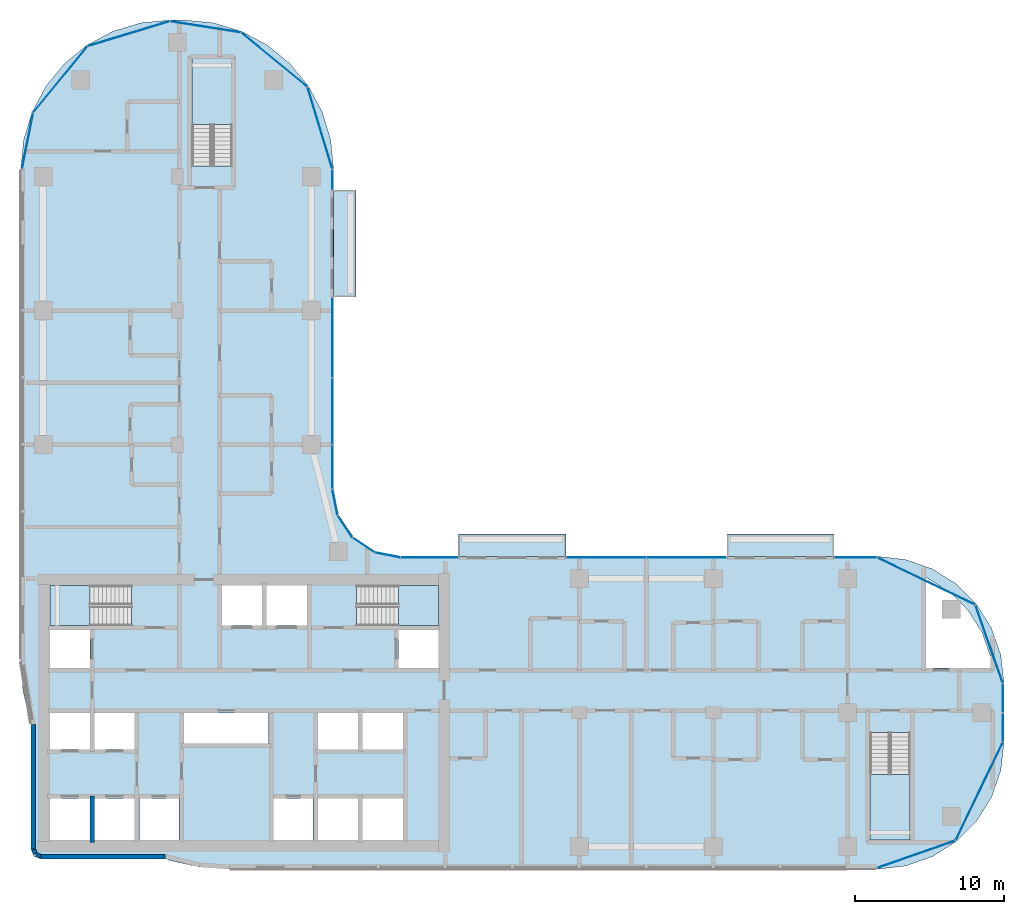
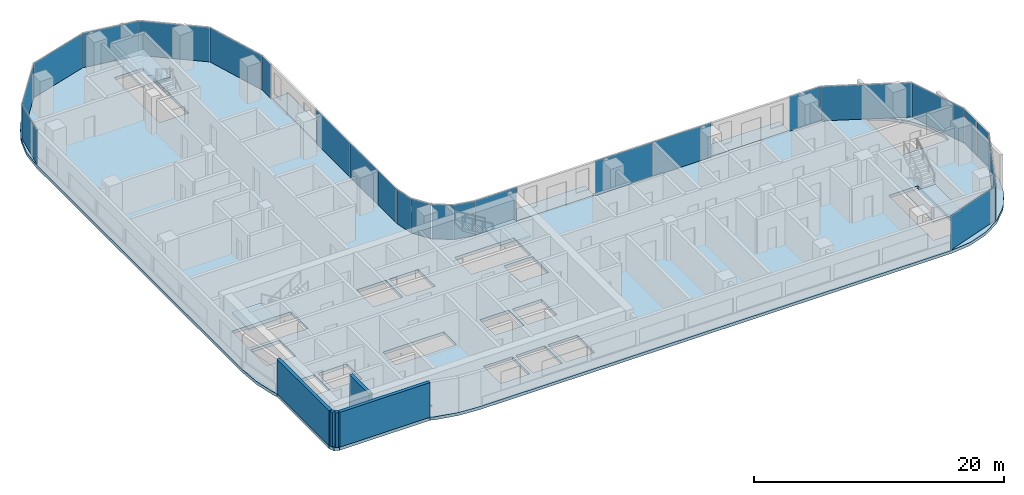
# One storey, part 6 of 21: 24 plates, 8 slabs, 5 walls, 14 elements without a shape of their own.
"""IFC4 building model written with IfcOpenShell, lengths in metres."""

from ifc_helpers import new_model, si_unit, direction, frame, frame_2d, origin, origin_2d, place, context, subcontext, project, spatial, polyline, rectangle, outline, extrude, material, layer, layer_set, type_object, element, aggregate, save


model = new_model("IFC4")

# Units and contexts
model_context = context("Model", 3, precision=1e-05, world=origin(), true_north=direction((0.0, 1.0)))
body_context = subcontext(model_context, "Body", "Model", "MODEL_VIEW")
ifc_project = project(units=[si_unit("LENGTHUNIT", "METRE"), si_unit("AREAUNIT", "SQUARE_METRE"), si_unit("VOLUMEUNIT", "CUBIC_METRE"), si_unit("PLANEANGLEUNIT", "RADIAN"), si_unit("MASSUNIT", "GRAM", prefix="KILO")], contexts=[model_context])

# Site, building, storey
site_placement = place(None, origin())
site = spatial("IfcSite", under=ifc_project, at=site_placement, CompositionType="ELEMENT")
building_placement = place(site_placement, origin())
building = spatial("IfcBuilding", under=site, at=building_placement, Name="Ogive Portal Towers", CompositionType="ELEMENT")
storey_placement = place(building_placement, frame((0.0, 0.0, 109.300048828125)))
storey = spatial("IfcBuildingStorey", under=building, at=storey_placement, Name="L26", CompositionType="ELEMENT", Elevation=109.300048828125)

# Slabs
ifc_material_1 = material(Name="Concrete C40/50", Category="concrete")
ifc_layer_1 = layer(ifc_material_1, 0.199951171875)
ifc_layer_set_1 = layer_set([ifc_layer_1], Name="BALCONY SLAB 200")
slab_type_1 = type_object("IfcSlabType", Name="BALCONY SLAB 200", PredefinedType="FLOOR", material=ifc_layer_set_1)
slab_1_placement = place(storey_placement, frame((0.0, 0.0, -0.199951171875)))
element("IfcSlab", 1, at=slab_1_placement, inside=storey, type_object=slab_type_1, Name="Balcony T1", PredefinedType="FLOOR", context=body_context, shape_type="SweptSolid", body=[
    extrude(outline(polyline([(59.39990234375, 41.0), (66.60009765625, 41.0), (66.60009765625, 42.5), (59.39990234375, 42.5), (59.39990234375, 41.0)])), origin(), (0.0, 0.0, 1.0), 0.199951171875),
])
slab_2_placement = place(storey_placement, frame((0.0, 0.0, -0.199951171875)))
element("IfcSlab", 2, at=slab_2_placement, inside=storey, type_object=slab_type_1, Name="Balcony T3", PredefinedType="FLOOR", context=body_context, shape_type="SweptSolid", body=[
    extrude(outline(polyline([(77.39990234375, 41.0), (84.60009765625, 41.0), (84.60009765625, 42.5), (77.39990234375, 42.5), (77.39990234375, 41.0)])), origin(), (0.0, 0.0, 1.0), 0.199951171875),
])
slab_3_placement = place(storey_placement, frame((0.0, 0.0, -0.199951171875)))
element("IfcSlab", 3, at=slab_3_placement, inside=storey, type_object=slab_type_1, Name="Balcony S2", PredefinedType="FLOOR", context=body_context, shape_type="SweptSolid", body=[
    extrude(outline(polyline([(51.0, 58.39990234375), (52.5, 58.39990234375), (52.5, 65.60009765625), (51.0, 65.60009765625), (51.0, 58.39990234375)])), origin(), (0.0, 0.0, 1.0), 0.199951171875),
])

# Curtain wall, plates
ifc_material_2 = material(Name="Glass, clear low-iron insulated glazing", Category="glass")
curtain_wall_type = type_object("IfcCurtainWallType", Name="CW FRONT RIBBON 4500", PredefinedType="NOTDEFINED", material=ifc_material_2)
curtain_wall_1_placement = place(storey_placement, origin())
curtain_wall_1 = element("IfcCurtainWall", 4, at=curtain_wall_1_placement, inside=storey, type_object=curtain_wall_type, Name="A:L26:f09:cw0", PredefinedType="NOTDEFINED")
ifc_layer_2 = layer(ifc_material_2, 0.028076171875)
ifc_layer_set_2 = layer_set([ifc_layer_2], Name="CW PANEL IGU 28")
plate_type = type_object("IfcPlateType", Name="CW PANEL IGU 28", PredefinedType="CURTAIN_PANEL", material=ifc_layer_set_2)
plate_1_placement = place(storey_placement, frame((95.919921875, 29.509033203125, 0.0), z_axis=(0.0, 0.0, 1.0), x_axis=(0.0, 1.0, 0.0)))
plate_1 = element("IfcPlate", 5, at=plate_1_placement, type_object=plate_type, Name="panel", PredefinedType="CURTAIN_PANEL", context=body_context, shape_type="SweptSolid", body=[
    extrude(rectangle(XDim=1.921630859375, YDim=0.028076171875, at=origin_2d()), origin(), (0.0, 0.0, 1.0), 3.340087890625),
])
plate_2_placement = place(storey_placement, frame((95.919921875, 31.4931640625, 0.0), z_axis=(0.0, 0.0, 1.0), x_axis=(0.0, 1.0, 0.0)))
plate_2 = element("IfcPlate", 6, at=plate_2_placement, type_object=plate_type, Name="panel", PredefinedType="CURTAIN_PANEL", context=body_context, shape_type="SweptSolid", body=[
    extrude(rectangle(XDim=1.926513671875, YDim=0.028076171875, at=origin_2d()), origin(), (0.0, 0.0, 1.0), 3.340087890625),
])
aggregate(curtain_wall_1, [plate_1, plate_2])

# Curtain wall, plate
curtain_wall_2_placement = place(storey_placement, origin())
curtain_wall_2 = element("IfcCurtainWall", 7, at=curtain_wall_2_placement, inside=storey, type_object=curtain_wall_type, Name="A:L26:f12:cw0", PredefinedType="NOTDEFINED")
plate_3_placement = place(storey_placement, frame((86.0322265625, 40.919921875, 0.0), z_axis=(0.0, 0.0, 1.0), x_axis=(-1.0, 0.0, 0.0)))
plate_3 = element("IfcPlate", 8, at=plate_3_placement, type_object=plate_type, Name="panel", PredefinedType="CURTAIN_PANEL", context=body_context, shape_type="SweptSolid", body=[
    extrude(rectangle(XDim=2.839111328125, YDim=0.028076171875, at=origin_2d()), origin(), (0.0, 0.0, 1.0), 3.340087890625),
])
aggregate(curtain_wall_2, [plate_3])

# Curtain wall, plates
curtain_wall_3_placement = place(storey_placement, origin())
curtain_wall_3 = element("IfcCurtainWall", 9, at=curtain_wall_3_placement, inside=storey, type_object=curtain_wall_type, Name="A:L26:f12:cw1", PredefinedType="NOTDEFINED")
plate_4_placement = place(storey_placement, frame((74.692626953125, 40.919921875, 0.0), z_axis=(0.0, 0.0, 1.0), x_axis=(-1.0, 0.0, 0.0)))
plate_4 = element("IfcPlate", 10, at=plate_4_placement, type_object=plate_type, Name="panel", PredefinedType="CURTAIN_PANEL", context=body_context, shape_type="SweptSolid", body=[
    extrude(rectangle(XDim=5.324951171875, YDim=0.028076171875, at=origin_2d()), origin(), (0.0, 0.0, 1.0), 3.340087890625),
])
plate_5_placement = place(storey_placement, frame((69.294189453125, 40.919921875, 0.0), z_axis=(0.0, 0.0, 1.0), x_axis=(-1.0, 0.0, 0.0)))
plate_5 = element("IfcPlate", 11, at=plate_5_placement, type_object=plate_type, Name="panel", PredefinedType="CURTAIN_PANEL", context=body_context, shape_type="SweptSolid", body=[
    extrude(rectangle(XDim=5.3515625, YDim=0.028076171875, at=origin_2d()), origin(), (0.0, 0.0, 1.0), 3.340087890625),
])
aggregate(curtain_wall_3, [plate_4, plate_5])

# Curtain wall, plate
curtain_wall_4_placement = place(storey_placement, origin())
curtain_wall_4 = element("IfcCurtainWall", 12, at=curtain_wall_4_placement, inside=storey, type_object=curtain_wall_type, Name="A:L26:f12:cw2", PredefinedType="NOTDEFINED")
plate_6_placement = place(storey_placement, frame((57.44140625, 40.919921875, 0.0), z_axis=(0.0, 0.0, 1.0), x_axis=(-1.0, 0.0, 0.0)))
plate_6 = element("IfcPlate", 13, at=plate_6_placement, type_object=plate_type, Name="panel", PredefinedType="CURTAIN_PANEL", context=body_context, shape_type="SweptSolid", body=[
    extrude(rectangle(XDim=3.838623046875, YDim=0.028076171875, at=origin_2d()), origin(), (0.0, 0.0, 1.0), 3.340087890625),
])
aggregate(curtain_wall_4, [plate_6])

# Curtain wall, plates
curtain_wall_5_placement = place(storey_placement, origin())
curtain_wall_5 = element("IfcCurtainWall", 14, at=curtain_wall_5_placement, inside=storey, type_object=curtain_wall_type, Name="A:L26:f17:cw0", PredefinedType="NOTDEFINED")
plate_7_placement = place(storey_placement, frame((50.919921875, 46.99609375, 0.0), z_axis=(0.0, 0.0, 1.0), x_axis=(0.0, 1.0, 0.0)))
plate_7 = element("IfcPlate", 15, at=plate_7_placement, type_object=plate_type, Name="panel", PredefinedType="CURTAIN_PANEL", context=body_context, shape_type="SweptSolid", body=[
    extrude(rectangle(XDim=2.947998046875, YDim=0.028076171875, at=origin_2d()), origin(), (0.0, 0.0, 1.0), 3.340087890625),
])
plate_8_placement = place(storey_placement, frame((50.919921875, 50.75, 0.0), z_axis=(0.0, 0.0, 1.0), x_axis=(0.0, 1.0, 0.0)))
plate_8 = element("IfcPlate", 16, at=plate_8_placement, type_object=plate_type, Name="panel", PredefinedType="CURTAIN_PANEL", context=body_context, shape_type="SweptSolid", body=[
    extrude(rectangle(XDim=4.43994140625, YDim=0.028076171875, at=origin_2d()), origin(), (0.0, 0.0, 1.0), 3.340087890625),
])
plate_9_placement = place(storey_placement, frame((50.919921875, 55.69482421875, 0.0), z_axis=(0.0, 0.0, 1.0), x_axis=(0.0, 1.0, 0.0)))
plate_9 = element("IfcPlate", 17, at=plate_9_placement, type_object=plate_type, Name="panel", PredefinedType="CURTAIN_PANEL", context=body_context, shape_type="SweptSolid", body=[
    extrude(rectangle(XDim=5.329833984375, YDim=0.028076171875, at=origin_2d()), origin(), (0.0, 0.0, 1.0), 3.340087890625),
])
aggregate(curtain_wall_5, [plate_7, plate_8, plate_9])

# Curtain wall, plate
curtain_wall_6_placement = place(storey_placement, origin())
curtain_wall_6 = element("IfcCurtainWall", 18, at=curtain_wall_6_placement, inside=storey, type_object=curtain_wall_type, Name="A:L26:f17:cw1", PredefinedType="NOTDEFINED")
plate_10_placement = place(storey_placement, frame((50.919921875, 66.288330078125, 0.0), z_axis=(0.0, 0.0, 1.0), x_axis=(0.0, 1.0, 0.0)))
plate_10 = element("IfcPlate", 19, at=plate_10_placement, type_object=plate_type, Name="panel", PredefinedType="CURTAIN_PANEL", context=body_context, shape_type="SweptSolid", body=[
    extrude(rectangle(XDim=1.33984375, YDim=0.028076171875, at=origin_2d()), origin(), (0.0, 0.0, 1.0), 3.340087890625),
])
aggregate(curtain_wall_6, [plate_10])

# Curtain wall, plates
curtain_wall_7_placement = place(storey_placement, origin())
curtain_wall_7 = element("IfcCurtainWall", 20, at=curtain_wall_7_placement, inside=storey, type_object=curtain_wall_type, Name="A:L26:f07:cwa", PredefinedType="NOTDEFINED")
plate_11_placement = place(storey_placement, frame((90.1142578125, 20.99951171875, 0.0), z_axis=(0.0, 0.0, 1.0), x_axis=(0.943883330307, 0.33027906196, 0.0)))
plate_11 = element("IfcPlate", 21, at=plate_11_placement, type_object=plate_type, Name="panel", PredefinedType="CURTAIN_PANEL", context=body_context, shape_type="SweptSolid", body=[
    extrude(rectangle(XDim=5.508056640625, YDim=0.028076171875, at=origin_2d()), origin(), (0.0, 0.0, 1.0), 3.340087890625),
])
plate_12_placement = place(storey_placement, frame((94.3310546875, 25.21875, 0.0), z_axis=(0.0, 0.0, 1.0), x_axis=(0.433883739113, 0.900968867905, 0.0)))
plate_12 = element("IfcPlate", 22, at=plate_12_placement, type_object=plate_type, Name="panel", PredefinedType="CURTAIN_PANEL", context=body_context, shape_type="SweptSolid", body=[
    extrude(rectangle(XDim=7.2646484375, YDim=0.028076171875, at=origin_2d()), origin(), (0.0, 0.0, 1.0), 3.340087890625),
])
aggregate(curtain_wall_7, [plate_11, plate_12])

curtain_wall_8_placement = place(storey_placement, origin())
curtain_wall_8 = element("IfcCurtainWall", 23, at=curtain_wall_8_placement, inside=storey, type_object=curtain_wall_type, Name="A:L26:f10:cwa", PredefinedType="NOTDEFINED")
plate_13_placement = place(storey_placement, frame((95.00048828125, 35.1142578125, 0.0), z_axis=(0.0, 0.0, 1.0), x_axis=(-0.33027906196, 0.943883330307, 0.0)))
plate_13 = element("IfcPlate", 24, at=plate_13_placement, type_object=plate_type, Name="panel", PredefinedType="CURTAIN_PANEL", context=body_context, shape_type="SweptSolid", body=[
    extrude(rectangle(XDim=5.508056640625, YDim=0.028076171875, at=origin_2d()), origin(), (0.0, 0.0, 1.0), 3.340087890625),
])
plate_14_placement = place(storey_placement, frame((90.78125, 39.3310546875, 0.0), z_axis=(0.0, 0.0, 1.0), x_axis=(-0.900968867905, 0.433883739113, 0.0)))
plate_14 = element("IfcPlate", 25, at=plate_14_placement, type_object=plate_type, Name="panel", PredefinedType="CURTAIN_PANEL", context=body_context, shape_type="SweptSolid", body=[
    extrude(rectangle(XDim=7.2646484375, YDim=0.028076171875, at=origin_2d()), origin(), (0.0, 0.0, 1.0), 3.340087890625),
])
aggregate(curtain_wall_8, [plate_13, plate_14])

curtain_wall_9_placement = place(storey_placement, origin())
curtain_wall_9 = element("IfcCurtainWall", 26, at=curtain_wall_9_placement, inside=storey, type_object=curtain_wall_type, Name="A:L26:f13:cwa", PredefinedType="NOTDEFINED")
plate_15_placement = place(storey_placement, frame((54.619384765625, 41.093505859375, 0.0), z_axis=(0.0, 0.0, 1.0), x_axis=(-0.980785280403, 0.195090322016, 0.0)))
plate_15 = element("IfcPlate", 27, at=plate_15_placement, type_object=plate_type, Name="panel", PredefinedType="CURTAIN_PANEL", context=body_context, shape_type="SweptSolid", body=[
    extrude(rectangle(XDim=1.7197265625, YDim=0.028076171875, at=origin_2d()), origin(), (0.0, 0.0, 1.0), 3.340087890625),
])
plate_16_placement = place(storey_placement, frame((53.00341796875, 41.763671875, 0.0), z_axis=(0.0, 0.0, 1.0), x_axis=(-0.831469612303, 0.55557023302, 0.0)))
plate_16 = element("IfcPlate", 28, at=plate_16_placement, type_object=plate_type, Name="panel", PredefinedType="CURTAIN_PANEL", context=body_context, shape_type="SweptSolid", body=[
    extrude(rectangle(XDim=1.7275390625, YDim=0.028076171875, at=origin_2d()), origin(), (0.0, 0.0, 1.0), 3.340087890625),
])
plate_17_placement = place(storey_placement, frame((51.763671875, 43.00341796875, 0.0), z_axis=(0.0, 0.0, 1.0), x_axis=(-0.55557023302, 0.831469612303, 0.0)))
plate_17 = element("IfcPlate", 29, at=plate_17_placement, type_object=plate_type, Name="panel", PredefinedType="CURTAIN_PANEL", context=body_context, shape_type="SweptSolid", body=[
    extrude(rectangle(XDim=1.7275390625, YDim=0.028076171875, at=origin_2d()), origin(), (0.0, 0.0, 1.0), 3.340087890625),
])
plate_18_placement = place(storey_placement, frame((51.093505859375, 44.619384765625, 0.0), z_axis=(0.0, 0.0, 1.0), x_axis=(-0.195090322016, 0.980785280403, 0.0)))
plate_18 = element("IfcPlate", 30, at=plate_18_placement, type_object=plate_type, Name="panel", PredefinedType="CURTAIN_PANEL", context=body_context, shape_type="SweptSolid", body=[
    extrude(rectangle(XDim=1.7197265625, YDim=0.028076171875, at=origin_2d()), origin(), (0.0, 0.0, 1.0), 3.340087890625),
])
aggregate(curtain_wall_9, [plate_15, plate_16, plate_17, plate_18])

curtain_wall_10_placement = place(storey_placement, origin())
curtain_wall_10 = element("IfcCurtainWall", 31, at=curtain_wall_10_placement, inside=storey, type_object=curtain_wall_type, Name="A:L26:f18:cwa", PredefinedType="NOTDEFINED")
plate_19_placement = place(storey_placement, frame((50.08251953125, 69.748779296875, 0.0), z_axis=(0.0, 0.0, 1.0), x_axis=(-0.290284677254, 0.956940335732, 0.0)))
plate_19 = element("IfcPlate", 32, at=plate_19_placement, type_object=plate_type, Name="panel", PredefinedType="CURTAIN_PANEL", context=body_context, shape_type="SweptSolid", body=[
    extrude(rectangle(XDim=5.70947265625, YDim=0.028076171875, at=origin_2d()), origin(), (0.0, 0.0, 1.0), 3.340087890625),
])
plate_20_placement = place(storey_placement, frame((47.01904296875, 74.336181640625, 0.0), z_axis=(0.0, 0.0, 1.0), x_axis=(-0.773010453363, 0.634393284164, 0.0)))
plate_20 = element("IfcPlate", 33, at=plate_20_placement, type_object=plate_type, Name="panel", PredefinedType="CURTAIN_PANEL", context=body_context, shape_type="SweptSolid", body=[
    extrude(rectangle(XDim=5.69970703125, YDim=0.028076171875, at=origin_2d()), origin(), (0.0, 0.0, 1.0), 3.340087890625),
])
plate_21_placement = place(storey_placement, frame((42.399169921875, 76.54052734375, 0.0), z_axis=(0.0, 0.0, 1.0), x_axis=(-0.987792174992, 0.155777466355, 0.0)))
plate_21 = element("IfcPlate", 34, at=plate_21_placement, type_object=plate_type, Name="panel", PredefinedType="CURTAIN_PANEL", context=body_context, shape_type="SweptSolid", body=[
    extrude(rectangle(XDim=4.786376953125, YDim=0.028076171875, at=origin_2d()), origin(), (0.0, 0.0, 1.0), 3.340087890625),
])
plate_22_placement = place(storey_placement, frame((37.248291015625, 76.08154296875, 0.0), z_axis=(0.0, 0.0, 1.0), x_axis=(-0.956940335732, -0.290284677254, 0.0)))
plate_22 = element("IfcPlate", 35, at=plate_22_placement, type_object=plate_type, Name="panel", PredefinedType="CURTAIN_PANEL", context=body_context, shape_type="SweptSolid", body=[
    extrude(rectangle(XDim=5.703125, YDim=0.028076171875, at=origin_2d()), origin(), (0.0, 0.0, 1.0), 3.340087890625),
])
plate_23_placement = place(storey_placement, frame((32.663330078125, 73.018310546875, 0.0), z_axis=(0.0, 0.0, 1.0), x_axis=(-0.634393284164, -0.773010453363, 0.0)))
plate_23 = element("IfcPlate", 36, at=plate_23_placement, type_object=plate_type, Name="panel", PredefinedType="CURTAIN_PANEL", context=body_context, shape_type="SweptSolid", body=[
    extrude(rectangle(XDim=5.701416015625, YDim=0.028076171875, at=origin_2d()), origin(), (0.0, 0.0, 1.0), 3.340087890625),
])
plate_24_placement = place(storey_placement, frame((30.457763671875, 68.891845703125, 0.0), z_axis=(0.0, 0.0, 1.0), x_axis=(-0.195090322016, -0.980785280403, 0.0)))
plate_24 = element("IfcPlate", 37, at=plate_24_placement, type_object=plate_type, Name="panel", PredefinedType="CURTAIN_PANEL", context=body_context, shape_type="SweptSolid", body=[
    extrude(rectangle(XDim=3.81396484375, YDim=0.028076171875, at=origin_2d()), origin(), (0.0, 0.0, 1.0), 3.340087890625),
])
aggregate(curtain_wall_10, [plate_19, plate_20, plate_21, plate_22, plate_23, plate_24])

# Stair, slab
stair_type = type_object("IfcStairType", Name="INT-STAIR", PredefinedType="HALF_TURN_STAIR", material=ifc_material_1)
stair_1_placement = place(storey_placement, origin())
stair_1 = element("IfcStair", 38, at=stair_1_placement, inside=storey, type_object=stair_type, Name="L26 Exit Stair ST-A1", PredefinedType="HALF_TURN_STAIR")
ifc_layer_3 = layer(ifc_material_1, 0.199951171875)
ifc_layer_set_3 = layer_set([ifc_layer_3], Name="INT-LANDING")
slab_type_2 = type_object("IfcSlabType", Name="INT-LANDING", PredefinedType="LANDING", material=ifc_layer_set_3)
slab_4_placement = place(storey_placement, frame((0.0, 0.0, 1.64990234375)))
slab_4 = element("IfcSlab", 39, at=slab_4_placement, type_object=slab_type_2, Name="ST-A1 landing 1", PredefinedType="LANDING", context=body_context, shape_type="SweptSolid", body=[
    extrude(outline(polyline([(34.64990234375, 39.050048828125), (31.949951171875, 39.050048828125), (31.949951171875, 36.35009765625), (34.64990234375, 36.35009765625), (34.64990234375, 39.050048828125)])), origin(), (0.0, 0.0, 1.0), 0.199951171875),
])
aggregate(stair_1, [slab_4])

stair_2_placement = place(storey_placement, origin())
stair_2 = element("IfcStair", 40, at=stair_2_placement, inside=storey, type_object=stair_type, Name="L26 Exit Stair ST-A2", PredefinedType="HALF_TURN_STAIR")
slab_5_placement = place(storey_placement, frame((0.0, 0.0, 1.64990234375)))
slab_5 = element("IfcSlab", 41, at=slab_5_placement, type_object=slab_type_2, Name="ST-A2 landing 1", PredefinedType="LANDING", context=body_context, shape_type="SweptSolid", body=[
    extrude(outline(polyline([(55.35009765625, 36.35009765625), (58.050048828125, 36.35009765625), (58.050048828125, 39.050048828125), (55.35009765625, 39.050048828125), (55.35009765625, 36.35009765625)])), origin(), (0.0, 0.0, 1.0), 0.199951171875),
])
aggregate(stair_2, [slab_5])

stair_3_placement = place(storey_placement, origin())
stair_3 = element("IfcStair", 42, at=stair_3_placement, inside=storey, type_object=stair_type, Name="L26 Exit Stair ST-A3", PredefinedType="HALF_TURN_STAIR")
slab_6_placement = place(storey_placement, frame((0.0, 0.0, 1.64990234375)))
slab_6 = element("IfcSlab", 43, at=slab_6_placement, type_object=slab_type_2, Name="ST-A3 landing 1", PredefinedType="LANDING", context=body_context, shape_type="SweptSolid", body=[
    extrude(outline(polyline([(44.199951171875, 70.0), (44.199951171875, 74.449951171875), (41.5, 74.449951171875), (41.5, 70.0), (44.199951171875, 70.0)])), origin(), (0.0, 0.0, 1.0), 0.199951171875),
])
aggregate(stair_3, [slab_6])

stair_4_placement = place(storey_placement, origin())
stair_4 = element("IfcStair", 44, at=stair_4_placement, inside=storey, type_object=stair_type, Name="L26 Exit Stair ST-A4", PredefinedType="HALF_TURN_STAIR")
slab_7_placement = place(storey_placement, frame((0.0, 0.0, 1.64990234375)))
slab_7 = element("IfcSlab", 45, at=slab_7_placement, type_object=slab_type_2, Name="ST-A4 landing 1", PredefinedType="LANDING", context=body_context, shape_type="SweptSolid", body=[
    extrude(outline(polyline([(87.0, 26.3701171875), (87.0, 21.949951171875), (89.699951171875, 21.949951171875), (89.699951171875, 26.3701171875), (87.0, 26.3701171875)])), origin(), (0.0, 0.0, 1.0), 0.199951171875),
])
aggregate(stair_4, [slab_7])

# Slab
ifc_material_3 = material(Name="Concrete C45/55", Category="concrete")
ifc_layer_4 = layer(ifc_material_3, 0.300048828125)
ifc_layer_set_4 = layer_set([ifc_layer_4], Name="PT FLAT PLATE 300")
slab_type_3 = type_object("IfcSlabType", Name="PT FLAT PLATE 300", PredefinedType="FLOOR", material=ifc_layer_set_4)
slab_8_placement = place(storey_placement, frame((0.0, 0.0, -0.300048828125)))
element("IfcSlab", 46, at=slab_8_placement, inside=storey, type_object=slab_type_3, Name="Floor slab L26", PredefinedType="FLOOR", context=body_context, shape_type="SweptSolid", body=[
    extrude(outline(polyline([(30.142578125, 32.007568359375), (30.567138671875, 30.0556640625), (30.699951171875, 29.699462890625), (30.699951171875, 21.300048828125), (30.875732421875, 20.875732421875), (31.300048828125, 20.699951171875), (39.699462890625, 20.699951171875), (40.0556640625, 20.567138671875), (42.007568359375, 20.142578125), (44.0, 20.0), (87.5, 20.0), (89.391357421875, 20.213134765625), (91.18798828125, 20.841796875), (92.7998046875, 21.8544921875), (94.1455078125, 23.2001953125), (95.158203125, 24.81201171875), (95.786865234375, 26.608642578125), (96.0, 28.5), (96.0, 32.5), (95.786865234375, 34.391357421875), (95.158203125, 36.18798828125), (94.1455078125, 37.7998046875), (92.7998046875, 39.1455078125), (91.18798828125, 40.158203125), (89.391357421875, 40.786865234375), (87.5, 41.0), (55.5, 41.0), (53.77783203125, 41.342529296875), (52.318115234375, 42.318115234375), (51.342529296875, 43.77783203125), (51.0, 45.5), (51.0, 67.0), (50.807861328125, 68.950927734375), (50.23876953125, 70.826904296875), (49.314697265625, 72.5556640625), (48.071044921875, 74.071044921875), (46.5556640625, 75.314697265625), (44.826904296875, 76.23876953125), (42.950927734375, 76.807861328125), (41.0, 77.0), (40.0, 77.0), (38.049072265625, 76.807861328125), (36.173095703125, 76.23876953125), (34.4443359375, 75.314697265625), (32.928955078125, 74.071044921875), (31.685302734375, 72.5556640625), (30.76123046875, 70.826904296875), (30.192138671875, 68.950927734375), (30.0, 67.0), (30.0, 34.0), (30.142578125, 32.007568359375)]), holes=[polyline([(34.64990234375, 24.75), (34.64990234375, 21.949951171875), (31.949951171875, 21.949951171875), (31.949951171875, 24.75), (34.64990234375, 24.75)]), polyline([(37.64990234375, 24.75), (37.64990234375, 21.949951171875), (34.949951171875, 21.949951171875), (34.949951171875, 24.75), (37.64990234375, 24.75)]), polyline([(40.6298828125, 21.969970703125), (37.969970703125, 21.969970703125), (37.969970703125, 24.72998046875), (40.6298828125, 24.72998046875), (40.6298828125, 21.969970703125)]), polyline([(34.64990234375, 28.050048828125), (31.949951171875, 28.050048828125), (31.949951171875, 30.5), (34.64990234375, 30.5), (34.64990234375, 28.050048828125)]), polyline([(37.64990234375, 28.050048828125), (34.949951171875, 28.050048828125), (34.949951171875, 30.5), (37.64990234375, 30.5), (37.64990234375, 28.050048828125)]), polyline([(46.6298828125, 28.447021484375), (40.969970703125, 28.447021484375), (40.969970703125, 30.47998046875), (46.6298828125, 30.47998046875), (46.6298828125, 28.447021484375)]), polyline([(34.64990234375, 36.050048828125), (34.64990234375, 33.5), (31.949951171875, 33.5), (31.949951171875, 36.050048828125), (34.64990234375, 36.050048828125)]), polyline([(31.951904296875, 39.048095703125), (37.447998046875, 39.048095703125), (37.447998046875, 36.35205078125), (31.951904296875, 36.35205078125), (31.951904296875, 39.048095703125)]), polyline([(46.199951171875, 36.35009765625), (43.5, 36.35009765625), (43.5, 39.050048828125), (46.199951171875, 39.050048828125), (46.199951171875, 36.35009765625)]), polyline([(44.197998046875, 67.201904296875), (41.501953125, 67.201904296875), (41.501953125, 74.447998046875), (44.197998046875, 74.447998046875), (44.197998046875, 67.201904296875)]), polyline([(49.6298828125, 21.969970703125), (46.969970703125, 21.969970703125), (46.969970703125, 24.72998046875), (49.6298828125, 24.72998046875), (49.6298828125, 21.969970703125)]), polyline([(52.64990234375, 24.75), (52.64990234375, 21.949951171875), (49.949951171875, 21.949951171875), (49.949951171875, 24.75), (52.64990234375, 24.75)]), polyline([(55.64990234375, 24.75), (55.64990234375, 21.949951171875), (52.949951171875, 21.949951171875), (52.949951171875, 24.75), (55.64990234375, 24.75)]), polyline([(87.001953125, 29.16796875), (89.697998046875, 29.16796875), (89.697998046875, 21.951904296875), (87.001953125, 21.951904296875), (87.001953125, 29.16796875)]), polyline([(52.64990234375, 28.050048828125), (49.949951171875, 28.050048828125), (49.949951171875, 30.5), (52.64990234375, 30.5), (52.64990234375, 28.050048828125)]), polyline([(55.64990234375, 30.5), (55.64990234375, 28.050048828125), (52.949951171875, 28.050048828125), (52.949951171875, 30.5), (55.64990234375, 30.5)]), polyline([(58.050048828125, 36.050048828125), (58.050048828125, 33.5), (55.35009765625, 33.5), (55.35009765625, 36.050048828125), (58.050048828125, 36.050048828125)]), polyline([(93.5947265625, 37.360595703125), (94.523681640625, 35.88232421875), (95.080078125, 34.292236328125), (95.080078125, 33.52001953125), (90.77001953125, 33.52001953125), (90.77001953125, 39.56298828125), (90.88232421875, 39.523681640625), (92.360595703125, 38.5947265625), (93.5947265625, 37.360595703125)]), polyline([(49.199951171875, 36.35009765625), (46.5, 36.35009765625), (46.5, 39.050048828125), (49.199951171875, 39.050048828125), (49.199951171875, 36.35009765625)]), polyline([(52.552001953125, 36.35205078125), (52.552001953125, 39.048095703125), (58.048095703125, 39.048095703125), (58.048095703125, 36.35205078125), (52.552001953125, 36.35205078125)])]), origin(), (0.0, 0.0, 1.0), 0.300048828125),
])

# Walls
ifc_material_4 = material(Name="Limestone cladding on lightweight block wall", Category="masonry")
ifc_layer_5 = layer(ifc_material_4, 0.300048828125)
ifc_layer_set_5 = layer_set([ifc_layer_5], Name="EXTERNAL WALL 300 STONE")
wall_type_1 = type_object("IfcWallType", Name="EXTERNAL WALL 300 STONE", PredefinedType="SOLIDWALL", material=ifc_layer_set_5)
wall_1_placement = place(storey_placement, frame((30.85009765625, 29.699462890625, 0.0), z_axis=(0.0, 0.0, 1.0), x_axis=(0.0, -1.0, 0.0)))
element("IfcWall", 47, at=wall_1_placement, inside=storey, type_object=wall_type_1, Name="A:L26:f00:r0:wall", PredefinedType="SOLIDWALL", context=body_context, shape_type="SweptSolid", body=[
    extrude(rectangle(XDim=8.33984375, YDim=0.300048828125, at=frame_2d((4.169921875, 0.0))), origin(), (0.0, 0.0, 1.0), 3.39990234375),
])
for number, where, z_axis, x_axis, name in (
    (48, (30.861328125, 21.30224609375, 0.0), (0.0, 0.0, 1.0), (0.38297812142, -0.923757413239, 0.0), "A:L26:f01:r0:wall"),
    (49, (31.0478515625, 20.966796875, 0.0), (0.0, 0.0, 1.0), (0.923757413239, -0.38297812142, 0.0), "A:L26:f02:r0:wall"),
):
    element("IfcWall", number, at=place(storey_placement, frame(where, z_axis=z_axis, x_axis=x_axis)), inside=storey, type_object=wall_type_1, Name=name, PredefinedType="SOLIDWALL", context=body_context, shape_type="SweptSolid", body=[
        extrude(rectangle(XDim=0.275390625, YDim=0.300048828125, at=frame_2d((0.1376953125, 0.0))), origin(), (0.0, 0.0, 1.0), 3.39990234375),
    ])
wall_2_placement = place(storey_placement, frame((31.359619140625, 20.85009765625, 0.0), z_axis=(0.0, 0.0, 1.0), x_axis=(1.0, 0.0, 0.0)))
element("IfcWall", 50, at=wall_2_placement, inside=storey, type_object=wall_type_1, Name="A:L26:f03:r0:wall", PredefinedType="SOLIDWALL", context=body_context, shape_type="SweptSolid", body=[
    extrude(rectangle(XDim=8.33984375, YDim=0.300048828125, at=frame_2d((4.169921875, 0.0))), origin(), (0.0, 0.0, 1.0), 3.39990234375),
])
ifc_layer_6 = layer(ifc_material_1, 0.300048828125)
ifc_layer_set_6 = layer_set([ifc_layer_6], Name="WT-SHAFT-300")
wall_type_2 = type_object("IfcWallType", Name="WT-SHAFT-300", PredefinedType="SOLIDWALL", material=ifc_layer_set_6)
wall_3_placement = place(storey_placement, frame((34.800048828125, 21.800048828125, 0.0), z_axis=(0.0, 0.0, 1.0), x_axis=(0.0, 1.0, 0.0)))
element("IfcWall", 51, at=wall_3_placement, inside=storey, type_object=wall_type_2, Name="Wall pw:006:L26", PredefinedType="SOLIDWALL", context=body_context, shape_type="SweptSolid", body=[
    extrude(rectangle(XDim=3.099853515625, YDim=0.300048828125, at=frame_2d((1.5498046875, 0.0))), origin(), (0.0, 0.0, 1.0), 3.39990234375),
])

save(model, "model.ifc")
